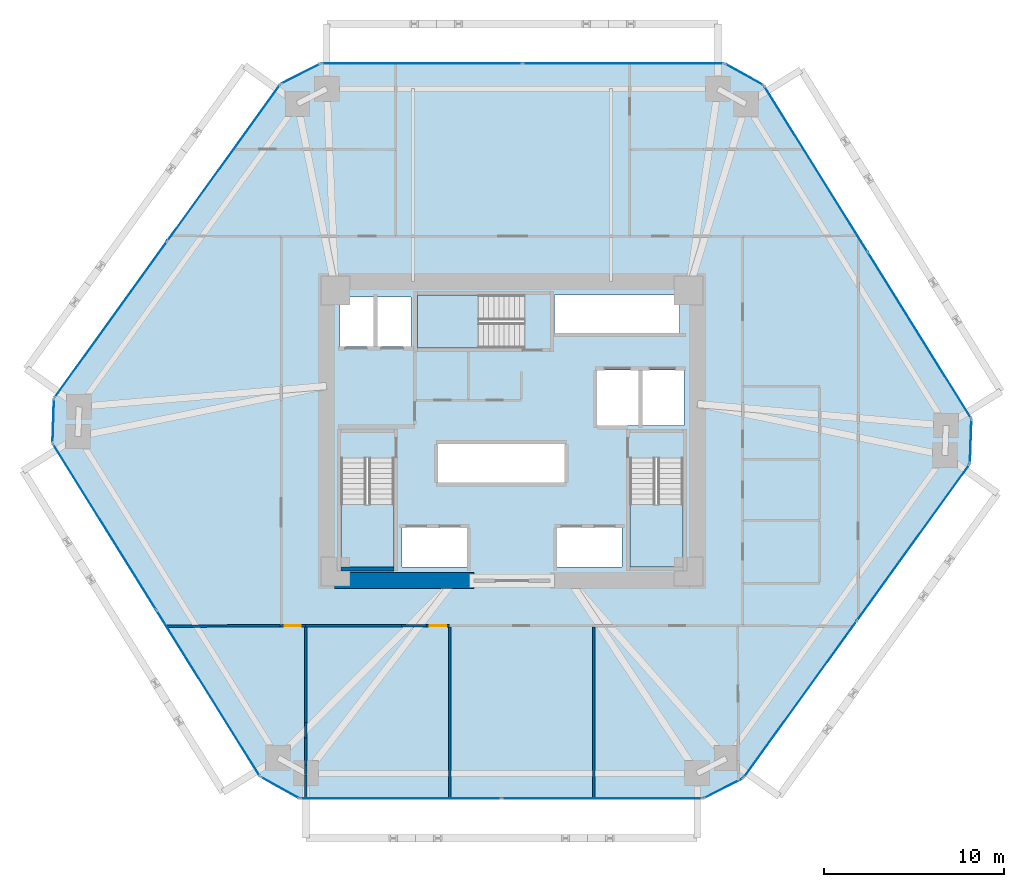
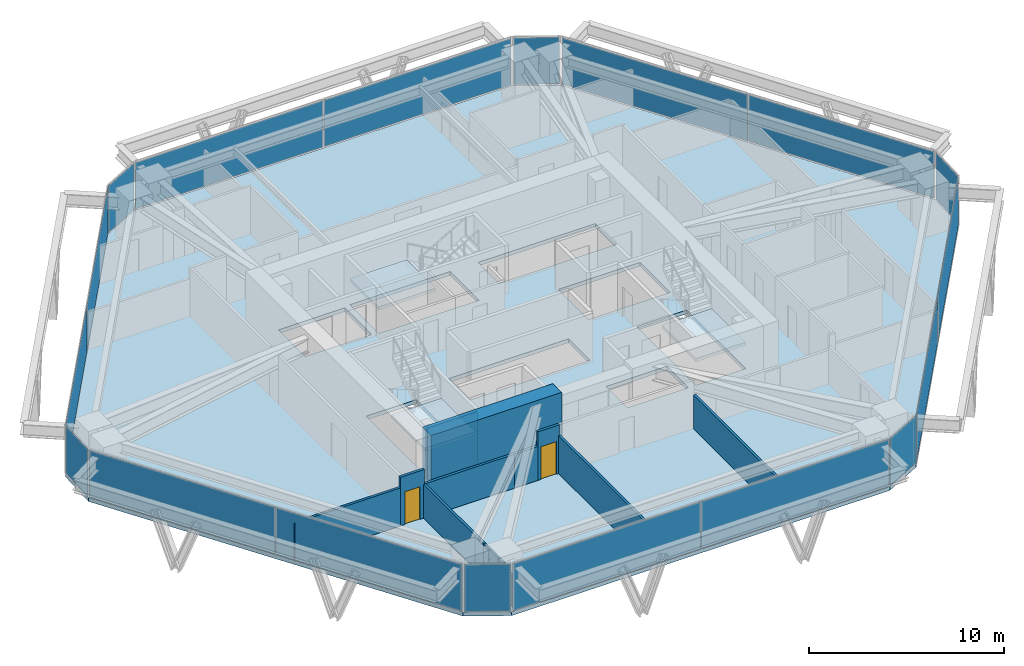
# One storey, part 10 of 15: 18 plates, 14 walls, 4 slabs, 2 doors, 2 openings, 15 elements without a shape of their own.
"""IFC4 building model written with IfcOpenShell, lengths in metres."""

from ifc_helpers import new_model, si_unit, direction, frame, frame_2d, origin, origin_2d, place, context, subcontext, project, spatial, polyline, rectangle, outline, extrude, source, transform, mapped, material, layer, layer_set, type_object, type_shapes, element, fill, aggregate, save


model = new_model("IFC4")

# Units and contexts
model_context = context("Model", 3, precision=1e-05, world=origin(), true_north=direction((0.0, 1.0)))
body_context = subcontext(model_context, "Body", "Model", "MODEL_VIEW")
ifc_project = project(units=[si_unit("LENGTHUNIT", "METRE"), si_unit("AREAUNIT", "SQUARE_METRE"), si_unit("VOLUMEUNIT", "CUBIC_METRE"), si_unit("PLANEANGLEUNIT", "RADIAN"), si_unit("MASSUNIT", "GRAM", prefix="KILO")], contexts=[model_context])

# Site, building, storey
site_placement = place(None, origin())
site = spatial("IfcSite", under=ifc_project, at=site_placement, CompositionType="ELEMENT")
building_placement = place(site_placement, origin())
building = spatial("IfcBuilding", under=site, at=building_placement, Name="Durnholm Broadcast Tower", CompositionType="ELEMENT")
storey_placement = place(building_placement, frame((0.0, 0.0, 62.10009765625)))
storey = spatial("IfcBuildingStorey", under=building, at=storey_placement, Name="L15", CompositionType="ELEMENT", Elevation=62.10009765625)

# Slab
ifc_material_1 = material(Name="Concrete C50/60", Category="concrete")
ifc_layer_1 = layer(ifc_material_1, 0.239990234375)
ifc_layer_set_1 = layer_set([ifc_layer_1], Name="Concrete C50/60")
slab_type_1 = type_object("IfcSlabType", Name="SLAB-FLR-240", PredefinedType="FLOOR", material=ifc_layer_set_1)
slab_1_placement = place(storey_placement, frame((0.0, 0.0, -0.239990234375)))
element("IfcSlab", 1, at=slab_1_placement, inside=storey, type_object=slab_type_1, Name="L15 structural floor slab", PredefinedType="FLOOR", context=body_context, shape_type="SweptSolid", body=[
    extrude(outline(polyline([(-13.9794921875, -19.186279296875), (-11.793701171875, -20.39990234375), (10.6201171875, -20.39990234375), (12.845703125, -19.260986328125), (25.419921875, -1.820556640625), (25.50439453125, 0.677978515625), (13.9794921875, 19.186279296875), (11.793701171875, 20.39990234375), (-10.6201171875, 20.39990234375), (-12.845703125, 19.260986328125), (-25.419921875, 1.820556640625), (-25.50439453125, -0.677978515625), (-13.9794921875, -19.186279296875)]), holes=[polyline([(-2.5, -5.35009765625), (-6.10009765625, -5.35009765625), (-6.10009765625, -7.550048828125), (-2.5, -7.550048828125), (-2.5, -5.35009765625)]), polyline([(6.10009765625, -5.35009765625), (2.5, -5.35009765625), (2.5, -7.550048828125), (6.10009765625, -7.550048828125), (6.10009765625, -5.35009765625)]), polyline([(-6.5400390625, -7.550048828125), (-6.5400390625, -1.5), (-9.5, -1.5), (-9.5, -7.550048828125), (-6.5400390625, -7.550048828125)]), polyline([(9.5, -7.550048828125), (9.5, -1.5), (6.5400390625, -1.5), (6.5400390625, -7.550048828125), (9.5, -7.550048828125)]), polyline([(2.949951171875, -0.699951171875), (-4.14990234375, -0.699951171875), (-4.14990234375, -2.89990234375), (2.949951171875, -2.89990234375), (2.949951171875, -0.699951171875)]), polyline([(9.550048828125, 3.39990234375), (4.699951171875, 3.39990234375), (4.699951171875, 0.300048828125), (9.550048828125, 0.300048828125), (9.550048828125, 3.39990234375)]), polyline([(-5.60009765625, 7.449951171875), (-9.550048828125, 7.449951171875), (-9.550048828125, 4.699951171875), (-5.60009765625, 4.699951171875), (-5.60009765625, 7.449951171875)]), polyline([(-5.25, 7.56005859375), (-5.25, 4.60009765625), (0.699951171875, 4.60009765625), (0.699951171875, 7.56005859375), (-5.25, 7.56005859375)]), polyline([(9.31005859375, 5.39990234375), (9.31005859375, 7.550048828125), (2.35009765625, 7.550048828125), (2.35009765625, 5.39990234375), (9.31005859375, 5.39990234375)])]), origin(), (0.0, 0.0, 1.0), 0.239990234375),
])

# Stair, slab
stair_type = type_object("IfcStairType", Name="STAIR-DL-20R1650", PredefinedType="HALF_TURN_STAIR", material=ifc_material_1)
stair_1_placement = place(storey_placement, origin())
stair_1 = element("IfcStair", 2, at=stair_1_placement, inside=storey, type_object=stair_type, Name="L15 ST-1", PredefinedType="HALF_TURN_STAIR")
ifc_layer_2 = layer(ifc_material_1, 0.199951171875)
ifc_layer_set_2 = layer_set([ifc_layer_2], Name="Concrete C50/60")
slab_type_2 = type_object("IfcSlabType", Name="SLAB-LND-200", PredefinedType="LANDING", material=ifc_layer_set_2)
slab_2_placement = place(storey_placement, frame((0.0, 0.0, 1.449951171875)))
slab_2 = element("IfcSlab", 3, at=slab_2_placement, type_object=slab_type_2, Name="ST-1 landing 1", PredefinedType="LANDING", context=body_context, shape_type="SweptSolid", body=[
    extrude(outline(polyline([(-9.5, -4.06494140625), (-9.5, -7.550048828125), (-6.5400390625, -7.550048828125), (-6.5400390625, -4.06494140625), (-9.5, -4.06494140625)])), origin(), (0.0, 0.0, 1.0), 0.199951171875),
])
aggregate(stair_1, [slab_2])

stair_2_placement = place(storey_placement, origin())
stair_2 = element("IfcStair", 4, at=stair_2_placement, inside=storey, type_object=stair_type, Name="L15 ST-2", PredefinedType="HALF_TURN_STAIR")
slab_3_placement = place(storey_placement, frame((0.0, 0.0, 1.449951171875)))
slab_3 = element("IfcSlab", 5, at=slab_3_placement, type_object=slab_type_2, Name="ST-2 landing 1", PredefinedType="LANDING", context=body_context, shape_type="SweptSolid", body=[
    extrude(outline(polyline([(6.5400390625, -4.06494140625), (6.5400390625, -7.550048828125), (9.5, -7.550048828125), (9.5, -4.06494140625), (6.5400390625, -4.06494140625)])), origin(), (0.0, 0.0, 1.0), 0.199951171875),
])
aggregate(stair_2, [slab_3])

stair_3_placement = place(storey_placement, origin())
stair_3 = element("IfcStair", 6, at=stair_3_placement, inside=storey, type_object=stair_type, Name="L15 ST-3", PredefinedType="HALF_TURN_STAIR")
slab_4_placement = place(storey_placement, frame((0.0, 0.0, 1.449951171875)))
slab_4 = element("IfcSlab", 7, at=slab_4_placement, type_object=slab_type_2, Name="ST-3 landing 1", PredefinedType="LANDING", context=body_context, shape_type="SweptSolid", body=[
    extrude(outline(polyline([(-1.864990234375, 7.56005859375), (-5.25, 7.56005859375), (-5.25, 4.60009765625), (-1.864990234375, 4.60009765625), (-1.864990234375, 7.56005859375)])), origin(), (0.0, 0.0, 1.0), 0.199951171875),
])
aggregate(stair_3, [slab_4])

# Curtain wall, plate
ifc_material_2 = material(Name="Aluminium and Solar Control IGU", Category="aluminium")
ifc_layer_3 = layer(ifc_material_2, 0.1650390625)
ifc_layer_set_3 = layer_set([ifc_layer_3], Name="Aluminium and Solar Control IGU")
curtain_wall_type_1 = type_object("IfcCurtainWallType", Name="CW-SYS-5", PredefinedType="NOTDEFINED", material=ifc_layer_set_3)
curtain_wall_1_placement = place(storey_placement, origin())
curtain_wall_1 = element("IfcCurtainWall", 8, at=curtain_wall_1_placement, inside=storey, type_object=curtain_wall_type_1, Name="L15 curtain wall CW-CORNER CW-L15-CRN-01", PredefinedType="NOTDEFINED")
ifc_material_3 = material(Name="Low-E Laminated Insulating Glass", Category="glass")
ifc_layer_4 = layer(ifc_material_3, 0.030029296875)
ifc_layer_set_4 = layer_set([ifc_layer_4], Name="Low-E Laminated Insulating Glass")
plate_type_1 = type_object("IfcPlateType", Name="CW-SYS-5-PNL", PredefinedType="CURTAIN_PANEL", material=ifc_layer_set_4)
shared_shape_1 = source(origin(), body_context, "Body", "SweptSolid", [
    extrude(rectangle(XDim=2.3701171875, YDim=0.030029296875, at=origin_2d()), origin(), (0.0, 0.0, 1.0), 2.929931640625),
])
plate_1_placement = place(storey_placement, frame((-25.462158203125, 0.5712890625, 0.06494140625), z_axis=(0.0, 0.0, 1.0), x_axis=(0.033839569233, 0.999427277772, 0.0)))
plate_1 = element("IfcPlate", 9, at=plate_1_placement, type_object=plate_type_1, Name="CW-CORNER panel 1.1", PredefinedType="CURTAIN_PANEL", context=body_context, shape_type="MappedRepresentation", body=[
    mapped(shared_shape_1, transform((0.0, 0.0, 0.0), x_axis=(1.0, 0.0, 0.0), y_axis=(0.0, 1.0, 0.0), z_axis=(0.0, 0.0, 1.0), scale=1.0)),
])
aggregate(curtain_wall_1, [plate_1])

curtain_wall_2_placement = place(storey_placement, origin())
curtain_wall_2 = element("IfcCurtainWall", 10, at=curtain_wall_2_placement, inside=storey, type_object=curtain_wall_type_1, Name="L15 curtain wall CW-CORNER CW-L15-CRN-03", PredefinedType="NOTDEFINED")
plate_2_placement = place(storey_placement, frame((-11.73291015625, 19.83056640625, 0.06494140625), z_axis=(0.0, 0.0, 1.0), x_axis=(0.890187804512, 0.455593758406, 0.0)))
plate_2 = element("IfcPlate", 11, at=plate_2_placement, type_object=plate_type_1, Name="CW-CORNER panel 1.1", PredefinedType="CURTAIN_PANEL", context=body_context, shape_type="MappedRepresentation", body=[
    mapped(shared_shape_1, transform((0.0, 0.0, 0.0), x_axis=(1.0, 0.0, 0.0), y_axis=(0.0, 1.0, 0.0), z_axis=(0.0, 0.0, 1.0), scale=1.0)),
])
aggregate(curtain_wall_2, [plate_2])

curtain_wall_3_placement = place(storey_placement, origin())
curtain_wall_3 = element("IfcCurtainWall", 12, at=curtain_wall_3_placement, inside=storey, type_object=curtain_wall_type_1, Name="L15 curtain wall CW-CORNER CW-L15-CRN-07", PredefinedType="NOTDEFINED")
plate_3_placement = place(storey_placement, frame((25.462158203125, -0.5712890625, 0.06494140625), z_axis=(0.0, 0.0, 1.0), x_axis=(-0.033839569233, -0.999427277772, 0.0)))
plate_3 = element("IfcPlate", 13, at=plate_3_placement, type_object=plate_type_1, Name="CW-CORNER panel 1.1", PredefinedType="CURTAIN_PANEL", context=body_context, shape_type="MappedRepresentation", body=[
    mapped(shared_shape_1, transform((0.0, 0.0, 0.0), x_axis=(1.0, 0.0, 0.0), y_axis=(0.0, 1.0, 0.0), z_axis=(0.0, 0.0, 1.0), scale=1.0)),
])
aggregate(curtain_wall_3, [plate_3])

curtain_wall_4_placement = place(storey_placement, origin())
curtain_wall_4 = element("IfcCurtainWall", 14, at=curtain_wall_4_placement, inside=storey, type_object=curtain_wall_type_1, Name="L15 curtain wall CW-CORNER CW-L15-CRN-09", PredefinedType="NOTDEFINED")
plate_4_placement = place(storey_placement, frame((11.73291015625, -19.83056640625, 0.06494140625), z_axis=(0.0, 0.0, 1.0), x_axis=(-0.890187804512, -0.455593758406, 0.0)))
plate_4 = element("IfcPlate", 15, at=plate_4_placement, type_object=plate_type_1, Name="CW-CORNER panel 1.1", PredefinedType="CURTAIN_PANEL", context=body_context, shape_type="MappedRepresentation", body=[
    mapped(shared_shape_1, transform((0.0, 0.0, 0.0), x_axis=(1.0, 0.0, 0.0), y_axis=(0.0, 1.0, 0.0), z_axis=(0.0, 0.0, 1.0), scale=1.0)),
])
aggregate(curtain_wall_4, [plate_4])

# Curtain wall, plates
ifc_layer_5 = layer(ifc_material_2, 0.18994140625)
ifc_layer_set_5 = layer_set([ifc_layer_5], Name="Aluminium and Solar Control IGU")
curtain_wall_type_2 = type_object("IfcCurtainWallType", Name="CW-SYS-3", PredefinedType="NOTDEFINED", material=ifc_layer_set_5)
curtain_wall_5_placement = place(storey_placement, origin())
curtain_wall_5 = element("IfcCurtainWall", 16, at=curtain_wall_5_placement, inside=storey, type_object=curtain_wall_type_2, Name="L15 curtain wall CW-Z12-VIS CW-L15-F02", PredefinedType="NOTDEFINED")
ifc_layer_6 = layer(ifc_material_3, 0.031982421875)
ifc_layer_set_6 = layer_set([ifc_layer_6], Name="Low-E Laminated Insulating Glass")
plate_type_2 = type_object("IfcPlateType", Name="CW-SYS-3-PNL", PredefinedType="CURTAIN_PANEL", material=ifc_layer_set_6)
shared_shape_2 = source(origin(), body_context, "Body", "SweptSolid", [
    extrude(rectangle(XDim=10.645263671875, YDim=0.031982421875, at=origin_2d()), origin(), (0.0, 0.0, 1.0), 2.919921875),
])
plate_5_placement = place(storey_placement, frame((-22.26611328125, 6.19482421875, 0.06982421875), z_axis=(0.0, 0.0, 1.0), x_axis=(0.584823496176, 0.81116057493, 0.0)))
plate_5 = element("IfcPlate", 17, at=plate_5_placement, type_object=plate_type_2, Name="CW-Z12-VIS panel 1.1", PredefinedType="CURTAIN_PANEL", context=body_context, shape_type="MappedRepresentation", body=[
    mapped(shared_shape_2, transform((0.0, 0.0, 0.0), x_axis=(1.0, 0.0, 0.0), y_axis=(0.0, 1.0, 0.0), z_axis=(0.0, 0.0, 1.0), scale=1.0)),
])
plate_6_placement = place(storey_placement, frame((-15.99951171875, 14.88671875, 0.06982421875), z_axis=(0.0, 0.0, 1.0), x_axis=(0.584823496176, 0.81116057493, 0.0)))
plate_6 = element("IfcPlate", 18, at=plate_6_placement, type_object=plate_type_2, Name="CW-Z12-VIS panel 2.1", PredefinedType="CURTAIN_PANEL", context=body_context, shape_type="MappedRepresentation", body=[
    mapped(shared_shape_2, transform((0.0, 0.0, 0.0), x_axis=(1.0, 0.0, 0.0), y_axis=(0.0, 1.0, 0.0), z_axis=(0.0, 0.0, 1.0), scale=1.0)),
])
aggregate(curtain_wall_5, [plate_5, plate_6])

curtain_wall_6_placement = place(storey_placement, origin())
curtain_wall_6 = element("IfcCurtainWall", 19, at=curtain_wall_6_placement, inside=storey, type_object=curtain_wall_type_2, Name="L15 curtain wall CW-Z12-VIS CW-L15-F08", PredefinedType="NOTDEFINED")
plate_7_placement = place(storey_placement, frame((22.26611328125, -6.19482421875, 0.06982421875), z_axis=(0.0, 0.0, 1.0), x_axis=(-0.584823496176, -0.81116057493, 0.0)))
plate_7 = element("IfcPlate", 20, at=plate_7_placement, type_object=plate_type_2, Name="CW-Z12-VIS panel 1.1", PredefinedType="CURTAIN_PANEL", context=body_context, shape_type="MappedRepresentation", body=[
    mapped(shared_shape_2, transform((0.0, 0.0, 0.0), x_axis=(1.0, 0.0, 0.0), y_axis=(0.0, 1.0, 0.0), z_axis=(0.0, 0.0, 1.0), scale=1.0)),
])
plate_8_placement = place(storey_placement, frame((15.99951171875, -14.88671875, 0.06982421875), z_axis=(0.0, 0.0, 1.0), x_axis=(-0.584823496176, -0.81116057493, 0.0)))
plate_8 = element("IfcPlate", 21, at=plate_8_placement, type_object=plate_type_2, Name="CW-Z12-VIS panel 2.1", PredefinedType="CURTAIN_PANEL", context=body_context, shape_type="MappedRepresentation", body=[
    mapped(shared_shape_2, transform((0.0, 0.0, 0.0), x_axis=(1.0, 0.0, 0.0), y_axis=(0.0, 1.0, 0.0), z_axis=(0.0, 0.0, 1.0), scale=1.0)),
])
aggregate(curtain_wall_6, [plate_7, plate_8])

# Curtain wall, plate
curtain_wall_7_placement = place(storey_placement, origin())
curtain_wall_7 = element("IfcCurtainWall", 22, at=curtain_wall_7_placement, inside=storey, type_object=curtain_wall_type_1, Name="L15 curtain wall CW-CORNER CW-L15-CRN-05", PredefinedType="NOTDEFINED")
shared_shape_3 = source(origin(), body_context, "Body", "SweptSolid", [
    extrude(rectangle(XDim=2.369873046875, YDim=0.030029296875, at=origin_2d()), origin(), (0.0, 0.0, 1.0), 2.929931640625),
])
type_shapes(plate_type_1, [shared_shape_1, shared_shape_3])
plate_9_placement = place(storey_placement, frame((12.88671875, 19.793212890625, 0.06494140625), z_axis=(0.0, 0.0, 1.0), x_axis=(0.874245941394, -0.485483299359, 0.0)))
plate_9 = element("IfcPlate", 23, at=plate_9_placement, type_object=plate_type_1, Name="CW-CORNER panel 1.1", PredefinedType="CURTAIN_PANEL", context=body_context, shape_type="MappedRepresentation", body=[
    mapped(shared_shape_3, transform((0.0, 0.0, 0.0), x_axis=(1.0, 0.0, 0.0), y_axis=(0.0, 1.0, 0.0), z_axis=(0.0, 0.0, 1.0), scale=1.0)),
])
aggregate(curtain_wall_7, [plate_9])

curtain_wall_8_placement = place(storey_placement, origin())
curtain_wall_8 = element("IfcCurtainWall", 24, at=curtain_wall_8_placement, inside=storey, type_object=curtain_wall_type_1, Name="L15 curtain wall CW-CORNER CW-L15-CRN-11", PredefinedType="NOTDEFINED")
plate_10_placement = place(storey_placement, frame((-12.88671875, -19.793212890625, 0.06494140625), z_axis=(0.0, 0.0, 1.0), x_axis=(-0.874245941394, 0.485483299359, 0.0)))
plate_10 = element("IfcPlate", 25, at=plate_10_placement, type_object=plate_type_1, Name="CW-CORNER panel 1.1", PredefinedType="CURTAIN_PANEL", context=body_context, shape_type="MappedRepresentation", body=[
    mapped(shared_shape_3, transform((0.0, 0.0, 0.0), x_axis=(1.0, 0.0, 0.0), y_axis=(0.0, 1.0, 0.0), z_axis=(0.0, 0.0, 1.0), scale=1.0)),
])
aggregate(curtain_wall_8, [plate_10])

# Curtain wall, plates
curtain_wall_9_placement = place(storey_placement, origin())
curtain_wall_9 = element("IfcCurtainWall", 26, at=curtain_wall_9_placement, inside=storey, type_object=curtain_wall_type_2, Name="L15 curtain wall CW-Z12-VIS CW-L15-F06", PredefinedType="NOTDEFINED")
shared_shape_4 = source(origin(), body_context, "Body", "SweptSolid", [
    extrude(rectangle(XDim=10.796630859375, YDim=0.031982421875, at=origin_2d()), origin(), (0.0, 0.0, 1.0), 2.919921875),
])
plate_11_placement = place(storey_placement, frame((16.869873046875, 14.54443359375, 0.06982421875), z_axis=(0.0, 0.0, 1.0), x_axis=(0.528592376777, -0.848875785503, 0.0)))
plate_11 = element("IfcPlate", 27, at=plate_11_placement, type_object=plate_type_2, Name="CW-Z12-VIS panel 1.1", PredefinedType="CURTAIN_PANEL", context=body_context, shape_type="MappedRepresentation", body=[
    mapped(shared_shape_4, transform((0.0, 0.0, 0.0), x_axis=(1.0, 0.0, 0.0), y_axis=(0.0, 1.0, 0.0), z_axis=(0.0, 0.0, 1.0), scale=1.0)),
])
plate_12_placement = place(storey_placement, frame((22.614013671875, 5.320068359375, 0.06982421875), z_axis=(0.0, 0.0, 1.0), x_axis=(0.528592376777, -0.848875785503, 0.0)))
plate_12 = element("IfcPlate", 28, at=plate_12_placement, type_object=plate_type_2, Name="CW-Z12-VIS panel 2.1", PredefinedType="CURTAIN_PANEL", context=body_context, shape_type="MappedRepresentation", body=[
    mapped(shared_shape_4, transform((0.0, 0.0, 0.0), x_axis=(1.0, 0.0, 0.0), y_axis=(0.0, 1.0, 0.0), z_axis=(0.0, 0.0, 1.0), scale=1.0)),
])
aggregate(curtain_wall_9, [plate_11, plate_12])

curtain_wall_10_placement = place(storey_placement, origin())
curtain_wall_10 = element("IfcCurtainWall", 29, at=curtain_wall_10_placement, inside=storey, type_object=curtain_wall_type_2, Name="L15 curtain wall CW-Z12-VIS CW-L15-F12", PredefinedType="NOTDEFINED")
plate_13_placement = place(storey_placement, frame((-16.869873046875, -14.54443359375, 0.06982421875), z_axis=(0.0, 0.0, 1.0), x_axis=(-0.528592376777, 0.848875785503, 0.0)))
plate_13 = element("IfcPlate", 30, at=plate_13_placement, type_object=plate_type_2, Name="CW-Z12-VIS panel 1.1", PredefinedType="CURTAIN_PANEL", context=body_context, shape_type="MappedRepresentation", body=[
    mapped(shared_shape_4, transform((0.0, 0.0, 0.0), x_axis=(1.0, 0.0, 0.0), y_axis=(0.0, 1.0, 0.0), z_axis=(0.0, 0.0, 1.0), scale=1.0)),
])
plate_14_placement = place(storey_placement, frame((-22.614013671875, -5.320068359375, 0.06982421875), z_axis=(0.0, 0.0, 1.0), x_axis=(-0.528592376777, 0.848875785503, 0.0)))
plate_14 = element("IfcPlate", 31, at=plate_14_placement, type_object=plate_type_2, Name="CW-Z12-VIS panel 2.1", PredefinedType="CURTAIN_PANEL", context=body_context, shape_type="MappedRepresentation", body=[
    mapped(shared_shape_4, transform((0.0, 0.0, 0.0), x_axis=(1.0, 0.0, 0.0), y_axis=(0.0, 1.0, 0.0), z_axis=(0.0, 0.0, 1.0), scale=1.0)),
])
aggregate(curtain_wall_10, [plate_13, plate_14])

curtain_wall_11_placement = place(storey_placement, origin())
curtain_wall_11 = element("IfcCurtainWall", 32, at=curtain_wall_11_placement, inside=storey, type_object=curtain_wall_type_2, Name="L15 curtain wall CW-Z12-VIS CW-L15-F04", PredefinedType="NOTDEFINED")
shared_shape_5 = source(origin(), body_context, "Body", "SweptSolid", [
    extrude(rectangle(XDim=11.10205078125, YDim=0.031982421875, at=origin_2d()), origin(), (0.0, 0.0, 1.0), 2.919921875),
])
type_shapes(plate_type_2, [shared_shape_2, shared_shape_4, shared_shape_5])
plate_15_placement = place(storey_placement, frame((-4.999267578125, 20.39990234375, 0.06982421875), z_axis=(0.0, 0.0, 1.0), x_axis=(1.0, 0.0, 0.0)))
plate_15 = element("IfcPlate", 33, at=plate_15_placement, type_object=plate_type_2, Name="CW-Z12-VIS panel 1.1", PredefinedType="CURTAIN_PANEL", context=body_context, shape_type="MappedRepresentation", body=[
    mapped(shared_shape_5, transform((0.0, 0.0, 0.0), x_axis=(1.0, 0.0, 0.0), y_axis=(0.0, 1.0, 0.0), z_axis=(0.0, 0.0, 1.0), scale=1.0)),
])
plate_16_placement = place(storey_placement, frame((6.1728515625, 20.39990234375, 0.06982421875), z_axis=(0.0, 0.0, 1.0), x_axis=(1.0, 0.0, 0.0)))
plate_16 = element("IfcPlate", 34, at=plate_16_placement, type_object=plate_type_2, Name="CW-Z12-VIS panel 2.1", PredefinedType="CURTAIN_PANEL", context=body_context, shape_type="MappedRepresentation", body=[
    mapped(shared_shape_5, transform((0.0, 0.0, 0.0), x_axis=(1.0, 0.0, 0.0), y_axis=(0.0, 1.0, 0.0), z_axis=(0.0, 0.0, 1.0), scale=1.0)),
])
aggregate(curtain_wall_11, [plate_15, plate_16])

curtain_wall_12_placement = place(storey_placement, origin())
curtain_wall_12 = element("IfcCurtainWall", 35, at=curtain_wall_12_placement, inside=storey, type_object=curtain_wall_type_2, Name="L15 curtain wall CW-Z12-VIS CW-L15-F10", PredefinedType="NOTDEFINED")
plate_17_placement = place(storey_placement, frame((4.999267578125, -20.39990234375, 0.06982421875), z_axis=(0.0, 0.0, 1.0), x_axis=(-1.0, 0.0, 0.0)))
plate_17 = element("IfcPlate", 36, at=plate_17_placement, type_object=plate_type_2, Name="CW-Z12-VIS panel 1.1", PredefinedType="CURTAIN_PANEL", context=body_context, shape_type="MappedRepresentation", body=[
    mapped(shared_shape_5, transform((0.0, 0.0, 0.0), x_axis=(1.0, 0.0, 0.0), y_axis=(0.0, 1.0, 0.0), z_axis=(0.0, 0.0, 1.0), scale=1.0)),
])
plate_18_placement = place(storey_placement, frame((-6.1728515625, -20.39990234375, 0.06982421875), z_axis=(0.0, 0.0, 1.0), x_axis=(-1.0, 0.0, 0.0)))
plate_18 = element("IfcPlate", 37, at=plate_18_placement, type_object=plate_type_2, Name="CW-Z12-VIS panel 2.1", PredefinedType="CURTAIN_PANEL", context=body_context, shape_type="MappedRepresentation", body=[
    mapped(shared_shape_5, transform((0.0, 0.0, 0.0), x_axis=(1.0, 0.0, 0.0), y_axis=(0.0, 1.0, 0.0), z_axis=(0.0, 0.0, 1.0), scale=1.0)),
])
aggregate(curtain_wall_12, [plate_17, plate_18])

# Walls
ifc_material_4 = material(Name="Concrete C70/85", Category="concrete")
ifc_layer_7 = layer(ifc_material_4, 0.89990234375)
ifc_layer_set_7 = layer_set([ifc_layer_7], Name="Concrete C70/85")
wall_type_1 = type_object("IfcWallType", Name="WALL-CW-900", PredefinedType="SHEAR", material=ifc_layer_set_7)
wall_1_placement = place(storey_placement, frame((-9.85009765625, -8.300048828125, 0.0), z_axis=(0.0, 0.0, 1.0), x_axis=(1.0, 0.0, 0.0)))
element("IfcWall", 38, at=wall_1_placement, inside=storey, type_object=wall_type_1, Name="L15 central core shear wall CW-S1", PredefinedType="SHEAR", context=body_context, shape_type="SweptSolid", body=[
    extrude(rectangle(XDim=7.75, YDim=0.89990234375, at=frame_2d((3.875, 0.0))), origin(), (0.0, 0.0, 1.0), 3.2998046875),
])
ifc_material_5 = material(Name="Gypsum Metal Stud Partition", Category="concrete")
ifc_layer_8 = layer(ifc_material_5, 0.135009765625)
ifc_layer_set_8 = layer_set([ifc_layer_8], Name="Gypsum Metal Stud Partition")
wall_type_2 = type_object("IfcWallType", Name="WALL-PART-135", PredefinedType="PARTITIONING", material=ifc_layer_set_8)
wall_2_placement = place(storey_placement, frame((-11.4599609375, -10.888916015625, 0.0), z_axis=(0.0, 0.0, 1.0), x_axis=(0.0, -1.0, 0.0)))
element("IfcWall", 39, at=wall_2_placement, inside=storey, type_object=wall_type_2, Name="L15 room dividing partition 11.12", PredefinedType="PARTITIONING", context=body_context, shape_type="SweptSolid", body=[
    extrude(rectangle(XDim=5.289794921875, YDim=0.135009765625, at=frame_2d((2.64501953125, 0.0))), origin(), (0.0, 0.0, 1.0), 2.130126953125),
])
wall_3_placement = place(storey_placement, frame((-11.4599609375, -17.035400390625, 0.0), z_axis=(0.0, 0.0, 1.0), x_axis=(0.0, -1.0, 0.0)))
element("IfcWall", 40, at=wall_3_placement, inside=storey, type_object=wall_type_2, Name="L15 room dividing partition 11.12", PredefinedType="PARTITIONING", context=body_context, shape_type="SweptSolid", body=[
    extrude(rectangle(XDim=1.506591796875, YDim=0.135009765625, at=frame_2d((0.75341796875, 0.0))), origin(), (0.0, 0.0, 1.0), 2.130126953125),
])
wall_4_placement = place(storey_placement, frame((-11.4599609375, -16.1787109375, 0.0), z_axis=(0.0, 0.0, 1.0), x_axis=(0.0, -1.0, 0.0)))
element("IfcWall", 41, at=wall_4_placement, inside=storey, type_object=wall_type_2, Name="L15 room dividing partition 11.12", PredefinedType="PARTITIONING", context=body_context, shape_type="SweptSolid", body=[
    extrude(rectangle(XDim=0.856689453125, YDim=0.135009765625, at=frame_2d((0.42822265625, 0.0))), origin(), (0.0, 0.0, 1.0), 2.130126953125),
])
wall_5_placement = place(storey_placement, frame((-11.4599609375, -18.5419921875, 0.0), z_axis=(0.0, 0.0, 1.0), x_axis=(0.0, -1.0, 0.0)))
element("IfcWall", 42, at=wall_5_placement, inside=storey, type_object=wall_type_2, Name="L15 room dividing partition 11.12", PredefinedType="PARTITIONING", context=body_context, shape_type="SweptSolid", body=[
    extrude(rectangle(XDim=0.511474609375, YDim=0.135009765625, at=frame_2d((0.255859375, 0.0))), origin(), (0.0, 0.0, 1.0), 2.130126953125),
])
wall_6_placement = place(storey_placement, frame((-11.4599609375, -19.083984375, 0.0), z_axis=(0.0, 0.0, 1.0), x_axis=(0.0, -1.0, 0.0)))
element("IfcWall", 43, at=wall_6_placement, inside=storey, type_object=wall_type_2, Name="L15 room dividing partition 11.12", PredefinedType="PARTITIONING", context=body_context, shape_type="SweptSolid", body=[
    extrude(rectangle(XDim=1.31591796875, YDim=0.135009765625, at=frame_2d((0.657958984375, 0.0))), origin(), (0.0, 0.0, 1.0), 1.877197265625),
])
wall_7_placement = place(storey_placement, frame((-19.18212890625, -10.831298828125, 0.0), z_axis=(0.0, 0.0, 1.0), x_axis=(0.999994432845, 0.003336806783, 0.0)))
element("IfcWall", 44, at=wall_7_placement, inside=storey, type_object=wall_type_2, Name="L15 room dividing partition 11.16", PredefinedType="PARTITIONING", context=body_context, shape_type="SweptSolid", body=[
    extrude(rectangle(XDim=6.292236328125, YDim=0.135009765625, at=frame_2d((3.14599609375, 0.0))), origin(), (0.0, 0.0, 1.0), 2.3798828125),
])
wall_8_placement = place(storey_placement, frame((-3.4599609375, -10.888916015625, 0.0), z_axis=(0.0, 0.0, 1.0), x_axis=(0.0, -1.0, 0.0)))
element("IfcWall", 45, at=wall_8_placement, inside=storey, type_object=wall_type_2, Name="L15 room dividing partition 12.13", PredefinedType="PARTITIONING", context=body_context, shape_type="SweptSolid", body=[
    extrude(rectangle(XDim=9.510986328125, YDim=0.135009765625, at=frame_2d((4.75537109375, 0.0))), origin(), (0.0, 0.0, 1.0), 2.3798828125),
])
wall_9_placement = place(storey_placement, frame((4.5400390625, -10.888916015625, 0.0), z_axis=(0.0, 0.0, 1.0), x_axis=(0.0, -1.0, 0.0)))
element("IfcWall", 46, at=wall_9_placement, inside=storey, type_object=wall_type_2, Name="L15 room dividing partition 13.14", PredefinedType="PARTITIONING", context=body_context, shape_type="SweptSolid", body=[
    extrude(rectangle(XDim=9.510986328125, YDim=0.135009765625, at=frame_2d((4.75537109375, 0.0))), origin(), (0.0, 0.0, 1.0), 2.130126953125),
])

# Wall, opening, door
ifc_material_6 = material(Name="Acoustic Gypsum Stud Partition", Category="concrete")
ifc_layer_9 = layer(ifc_material_6, 0.14990234375)
ifc_layer_set_9 = layer_set([ifc_layer_9], Name="Acoustic Gypsum Stud Partition")
wall_type_3 = type_object("IfcWallType", Name="WALL-PART-150", PredefinedType="PARTITIONING", material=ifc_layer_set_9)
wall_10_placement = place(storey_placement, frame((-12.889892578125, -10.81005859375, 0.0), z_axis=(0.0, 0.0, 1.0), x_axis=(1.0, 0.0, 0.0)))
wall_10 = element("IfcWall", 47, at=wall_10_placement, inside=storey, type_object=wall_type_3, Name="L15 Editorial Conference Room corridor partition", PredefinedType="PARTITIONING", context=body_context, shape_type="SweptSolid", body=[
    extrude(rectangle(XDim=1.429931640625, YDim=0.14990234375, at=frame_2d((0.71484375, 0.0))), origin(), (0.0, 0.0, 1.0), 3.044921875),
])
opening_1_placement = place(wall_10_placement, frame((0.264892578125, 0.0, 0.0)))
opening_1 = element("IfcOpeningElement", 48, at=opening_1_placement, cuts=wall_10, Name="Opening DW-90R", PredefinedType="OPENING", context=body_context, shape_type="SweptSolid", body=[
    extrude(rectangle(XDim=0.89990234375, YDim=2.050048828125, at=frame_2d((0.449951171875, 1.02490234375))), frame((0.0, 0.0849609375, 0.0), z_axis=(0.0, -1.0, 0.0), x_axis=(1.0, 0.0, 0.0)), (0.0, 0.0, 1.0), 0.169921875),
])
ifc_material_7 = material(Name="Laminate Restroom Door", Category="steel")
ifc_layer_10 = layer(ifc_material_7, 0.050048828125)
ifc_layer_set_10 = layer_set([ifc_layer_10], Name="Laminate Restroom Door")
door_type_1 = type_object("IfcDoorType", Name="DOOR-WC-900R", OperationType="NOTDEFINED", PredefinedType="DOOR", material=ifc_layer_set_10)
shared_shape_6 = source(origin(), body_context, "Body", "SweptSolid", [
    extrude(rectangle(XDim=0.89990234375, YDim=2.050048828125, at=frame_2d((0.449951171875, 1.02490234375))), frame((0.0, 0.02490234375, 0.0), z_axis=(0.0, -1.0, 0.0), x_axis=(1.0, 0.0, 0.0)), (0.0, 0.0, 1.0), 0.050048828125),
])
type_shapes(door_type_1, [shared_shape_6])
door_1_placement = place(opening_1_placement, origin())
door_1 = element("IfcDoor", 49, at=door_1_placement, inside=storey, type_object=door_type_1, Name="L15 Editorial Conference Room entrance door", OperationType="SINGLE_SWING_RIGHT", OverallHeight=2.050048828125, OverallWidth=0.89990234375, PredefinedType="DOOR", context=body_context, shape_type="MappedRepresentation", body=[
    mapped(shared_shape_6, transform((0.0, 0.0, 0.0), x_axis=(1.0, 0.0, 0.0), y_axis=(0.0, 1.0, 0.0), z_axis=(0.0, 0.0, 1.0), scale=1.0)),
])
fill(opening_1, door_1)

# Wall
wall_11_placement = place(storey_placement, frame((-11.4599609375, -10.81005859375, 0.0), z_axis=(0.0, 0.0, 1.0), x_axis=(1.0, 0.0, 0.0)))
element("IfcWall", 50, at=wall_11_placement, inside=storey, type_object=wall_type_3, Name="L15 Crew Dining Room corridor partition", PredefinedType="PARTITIONING", context=body_context, shape_type="SweptSolid", body=[
    extrude(rectangle(XDim=5.33837890625, YDim=0.14990234375, at=frame_2d((2.669189453125, 0.0))), origin(), (0.0, 0.0, 1.0), 2.130126953125),
])

# Wall, opening, door
wall_12_placement = place(storey_placement, frame((-4.749755859375, -10.81005859375, 0.0), z_axis=(0.0, 0.0, 1.0), x_axis=(1.0, 0.0, 0.0)))
wall_12 = element("IfcWall", 51, at=wall_12_placement, inside=storey, type_object=wall_type_3, Name="L15 Crew Dining Room corridor partition", PredefinedType="PARTITIONING", context=body_context, shape_type="SweptSolid", body=[
    extrude(rectangle(XDim=1.289794921875, YDim=0.14990234375, at=frame_2d((0.64501953125, 0.0))), origin(), (0.0, 0.0, 1.0), 3.044921875),
])
opening_2_placement = place(wall_12_placement, frame((0.19482421875, 0.0, 0.0)))
opening_2 = element("IfcOpeningElement", 52, at=opening_2_placement, cuts=wall_12, Name="Opening DW-90L", PredefinedType="OPENING", context=body_context, shape_type="SweptSolid", body=[
    extrude(rectangle(XDim=0.89990234375, YDim=2.050048828125, at=frame_2d((0.449951171875, 1.02490234375))), frame((0.0, 0.0849609375, 0.0), z_axis=(0.0, -1.0, 0.0), x_axis=(1.0, 0.0, 0.0)), (0.0, 0.0, 1.0), 0.169921875),
])
ifc_layer_11 = layer(ifc_material_7, 0.050048828125)
ifc_layer_set_11 = layer_set([ifc_layer_11], Name="Laminate Restroom Door")
door_type_2 = type_object("IfcDoorType", Name="DOOR-WC-900L", OperationType="NOTDEFINED", PredefinedType="DOOR", material=ifc_layer_set_11)
shared_shape_7 = source(origin(), body_context, "Body", "SweptSolid", [
    extrude(rectangle(XDim=0.89990234375, YDim=2.050048828125, at=frame_2d((0.449951171875, 1.02490234375))), frame((0.0, 0.02490234375, 0.0), z_axis=(0.0, -1.0, 0.0), x_axis=(1.0, 0.0, 0.0)), (0.0, 0.0, 1.0), 0.050048828125),
])
type_shapes(door_type_2, [shared_shape_7])
door_2_placement = place(opening_2_placement, origin())
door_2 = element("IfcDoor", 53, at=door_2_placement, inside=storey, type_object=door_type_2, Name="L15 Crew Dining Room entrance door", OperationType="SINGLE_SWING_LEFT", OverallHeight=2.050048828125, OverallWidth=0.89990234375, PredefinedType="DOOR", context=body_context, shape_type="MappedRepresentation", body=[
    mapped(shared_shape_7, transform((0.0, 0.0, 0.0), x_axis=(1.0, 0.0, 0.0), y_axis=(0.0, 1.0, 0.0), z_axis=(0.0, 0.0, 1.0), scale=1.0)),
])
fill(opening_2, door_2)

# Walls
wall_13_placement = place(storey_placement, frame((-6.12158203125, -10.81005859375, 0.0), z_axis=(0.0, 0.0, 1.0), x_axis=(1.0, 0.0, 0.0)))
element("IfcWall", 54, at=wall_13_placement, inside=storey, type_object=wall_type_3, Name="L15 Crew Dining Room corridor partition", PredefinedType="PARTITIONING", context=body_context, shape_type="SweptSolid", body=[
    extrude(rectangle(XDim=1.371826171875, YDim=0.14990234375, at=frame_2d((0.68603515625, 0.0))), origin(), (0.0, 0.0, 1.0), 2.130126953125),
])
ifc_layer_12 = layer(ifc_material_1, 0.219970703125)
ifc_layer_set_12 = layer_set([ifc_layer_12], Name="Concrete C50/60")
wall_type_4 = type_object("IfcWallType", Name="WALL-SW-220", PredefinedType="SHEAR", material=ifc_layer_set_12)
wall_14_placement = place(storey_placement, frame((-9.5, -7.659912109375, -0.239990234375), z_axis=(0.0, 0.0, 1.0), x_axis=(1.0, 0.0, 0.0)))
element("IfcWall", 55, at=wall_14_placement, inside=storey, type_object=wall_type_4, Name="L15 stair ST-1 structural shaft wall S", PredefinedType="SHEAR", context=body_context, shape_type="SweptSolid", body=[
    extrude(rectangle(XDim=2.9599609375, YDim=0.219970703125, at=frame_2d((1.47998046875, 0.0))), origin(), (0.0, 0.0, 1.0), 3.2998046875),
])

save(model, "model.ifc")
